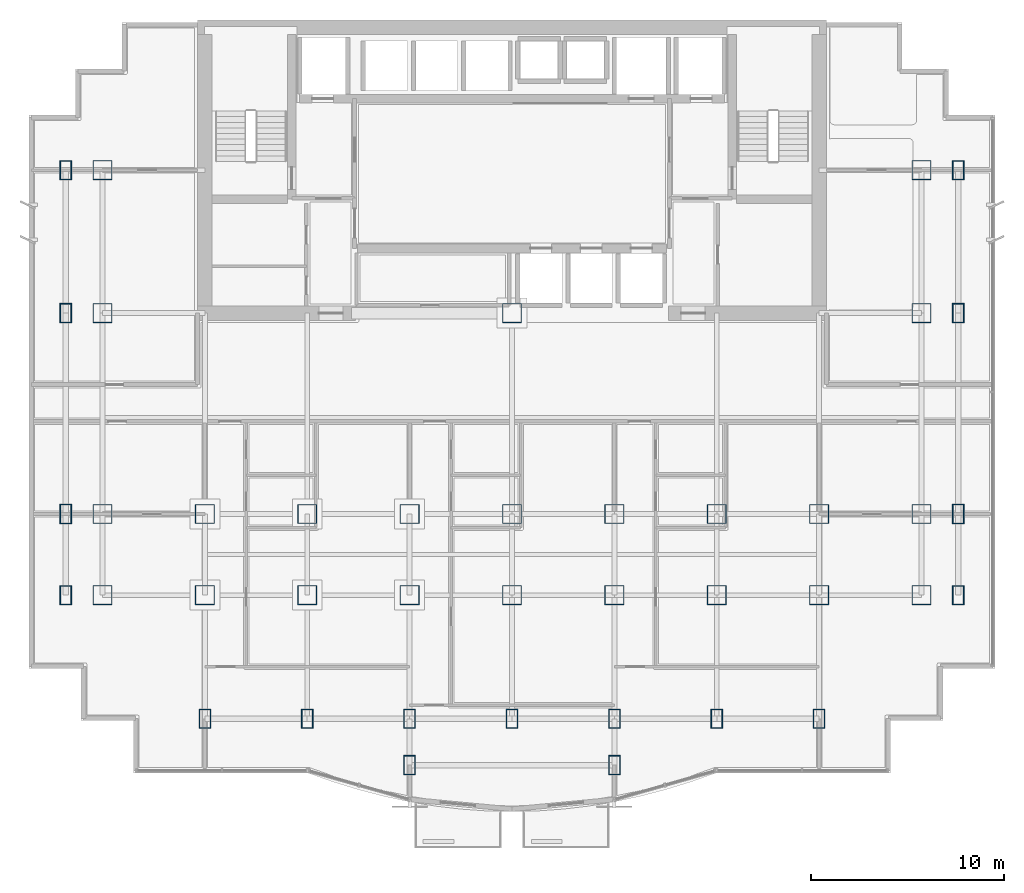
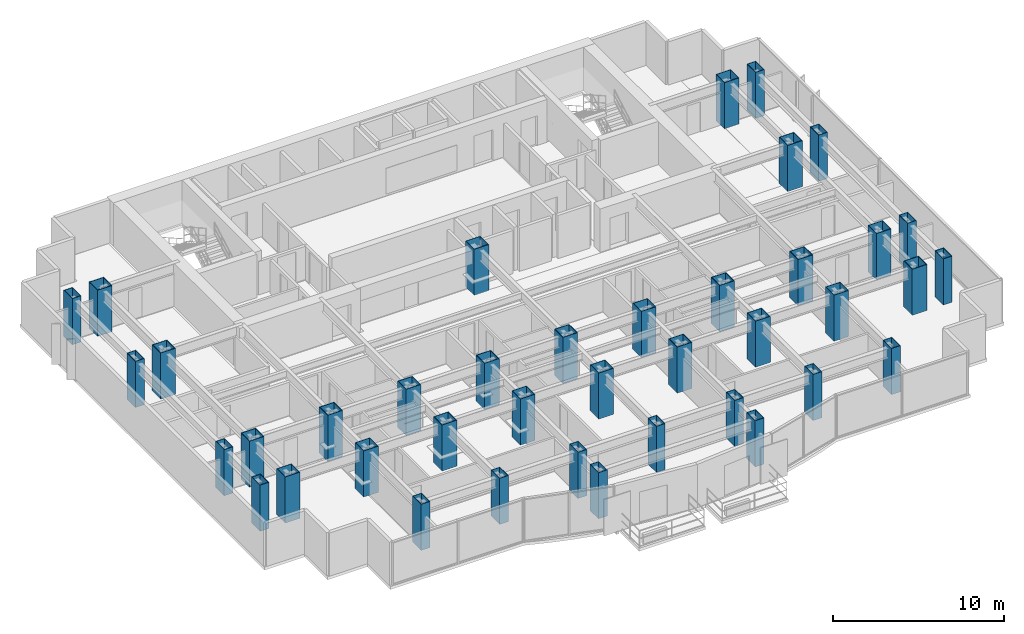
# One storey, part 1 of 11: 40 columns.
"""IFC4 building model written with IfcOpenShell, lengths in metres."""

from ifc_helpers import new_model, si_unit, direction, frame, origin, origin_2d, place, context, subcontext, project, spatial, hollow_rectangle, extrude, material, material_profile, profile_set, type_object, element, save


model = new_model("IFC4")

# Units and contexts
model_context = context("Model", 3, precision=1e-05, world=origin(), true_north=direction((0.0, 1.0)))
body_context = subcontext(model_context, "Body", "Model", "MODEL_VIEW")
ifc_project = project(units=[si_unit("LENGTHUNIT", "METRE"), si_unit("AREAUNIT", "SQUARE_METRE"), si_unit("VOLUMEUNIT", "CUBIC_METRE"), si_unit("PLANEANGLEUNIT", "RADIAN"), si_unit("MASSUNIT", "GRAM", prefix="KILO")], contexts=[model_context])

# Site, building, storey
site_placement = place(None, origin())
site = spatial("IfcSite", under=ifc_project, at=site_placement, CompositionType="ELEMENT")
building_placement = place(site_placement, origin())
building = spatial("IfcBuilding", under=site, at=building_placement, Name="Qianlan Lanfeng Residences", CompositionType="ELEMENT")
storey_placement = place(building_placement, frame((0.0, 0.0, 104.800048828125)))
storey = spatial("IfcBuildingStorey", under=building, at=storey_placement, Name="L28", CompositionType="ELEMENT", Elevation=104.800048828125)

# Columns
ifc_material = material(Name="Steel SN490B", Category="steel")
ifc_material_profile_1 = material_profile(ifc_material, hollow_rectangle(XDim=1.0, YDim=1.0, WallThickness=0.035888671875, at=origin_2d()), Name="BOX 1000x1000x36")
ifc_profile_set_1 = profile_set([ifc_material_profile_1], Name="Steel SN490B")
column_type_1 = type_object("IfcColumnType", Name="C-B1200", PredefinedType="COLUMN", material=ifc_profile_set_1)
for number, where, z_axis, x_axis, name in (
    (1, (26.5, 25.199951171875, 0.0), (0.0, 0.0, 1.0), (1.0, 0.0, 0.0), "L28 Structural Column CP_26.5_25.2"),
    (2, (10.60009765625, 14.800048828125, 0.0), (0.0, 0.0, 1.0), (1.0, 0.0, 0.0), "L28 Structural Column M_10.60_14.80"),
    (3, (10.60009765625, 10.60009765625, 0.0), (0.0, 0.0, 1.0), (1.0, 0.0, 0.0), "L28 Structural Column G_10.60_10.60"),
    (4, (15.89990234375, 14.800048828125, 0.0), (0.0, 0.0, 1.0), (1.0, 0.0, 0.0), "L28 Structural Column M_15.90_14.80"),
    (5, (15.89990234375, 10.60009765625, 0.0), (0.0, 0.0, 1.0), (1.0, 0.0, 0.0), "L28 Structural Column G_15.90_10.60"),
    (6, (21.199951171875, 14.800048828125, 0.0), (0.0, 0.0, 1.0), (1.0, 0.0, 0.0), "L28 Structural Column M_21.20_14.80"),
    (7, (21.199951171875, 10.60009765625, 0.0), (0.0, 0.0, 1.0), (1.0, 0.0, 0.0), "L28 Structural Column G_21.20_10.60"),
    (8, (26.5, 14.800048828125, 0.0), (0.0, 0.0, 1.0), (1.0, 0.0, 0.0), "L28 Structural Column M_26.50_14.80"),
    (9, (26.5, 10.60009765625, 0.0), (0.0, 0.0, 1.0), (1.0, 0.0, 0.0), "L28 Structural Column G_26.50_10.60"),
    (10, (31.800048828125, 14.800048828125, 0.0), (0.0, 0.0, 1.0), (1.0, 0.0, 0.0), "L28 Structural Column M_31.80_14.80"),
    (11, (31.800048828125, 10.60009765625, 0.0), (0.0, 0.0, 1.0), (1.0, 0.0, 0.0), "L28 Structural Column G_31.80_10.60"),
    (12, (37.10009765625, 14.800048828125, 0.0), (0.0, 0.0, 1.0), (1.0, 0.0, 0.0), "L28 Structural Column M_37.10_14.80"),
    (13, (37.10009765625, 10.60009765625, 0.0), (0.0, 0.0, 1.0), (1.0, 0.0, 0.0), "L28 Structural Column G_37.10_10.60"),
    (14, (42.39990234375, 14.800048828125, 0.0), (0.0, 0.0, 1.0), (1.0, 0.0, 0.0), "L28 Structural Column M_42.40_14.80"),
    (15, (42.39990234375, 10.60009765625, 0.0), (0.0, 0.0, 1.0), (1.0, 0.0, 0.0), "L28 Structural Column G_42.40_10.60"),
    (16, (5.300048828125, 10.60009765625, 0.0), (0.0, 0.0, 1.0), (1.0, 0.0, 0.0), "L28 Structural Column W_5.30_10.60"),
    (17, (5.300048828125, 14.800048828125, 0.0), (0.0, 0.0, 1.0), (1.0, 0.0, 0.0), "L28 Structural Column W_5.30_14.80"),
    (18, (5.300048828125, 25.199951171875, 0.0), (0.0, 0.0, 1.0), (1.0, 0.0, 0.0), "L28 Structural Column W_5.30_25.20"),
    (19, (5.300048828125, 32.60009765625, 0.0), (0.0, 0.0, 1.0), (1.0, 0.0, 0.0), "L28 Structural Column W_5.30_32.60"),
    (20, (47.699951171875, 10.60009765625, 0.0), (0.0, 0.0, 1.0), (1.0, 0.0, 0.0), "L28 Structural Column W_47.70_10.60"),
    (21, (47.699951171875, 14.800048828125, 0.0), (0.0, 0.0, 1.0), (1.0, 0.0, 0.0), "L28 Structural Column W_47.70_14.80"),
    (22, (47.699951171875, 25.199951171875, 0.0), (0.0, 0.0, 1.0), (1.0, 0.0, 0.0), "L28 Structural Column W_47.70_25.20"),
    (23, (47.699951171875, 32.60009765625, 0.0), (0.0, 0.0, 1.0), (1.0, 0.0, 0.0), "L28 Structural Column W_47.70_32.60"),
):
    element("IfcColumn", number, at=place(storey_placement, frame(where, z_axis=z_axis, x_axis=x_axis)), inside=storey, type_object=column_type_1, Name=name, PredefinedType="COLUMN", context=body_context, shape_type="SweptSolid", body=[
        extrude(hollow_rectangle(XDim=1.0, YDim=1.0, WallThickness=0.035888671875, at=origin_2d()), origin(), (0.0, 0.0, 1.0), 3.300048828125),
    ])
ifc_material_profile_2 = material_profile(ifc_material, hollow_rectangle(XDim=0.60009765625, YDim=1.0, WallThickness=0.031982421875, at=origin_2d()), Name="BOX 1000x600x32")
ifc_profile_set_2 = profile_set([ifc_material_profile_2], Name="Steel SN490B")
column_type_2 = type_object("IfcColumnType", Name="CE-B1100", PredefinedType="COLUMN", material=ifc_profile_set_2)
for number, where, z_axis, x_axis, name in (
    (24, (21.199951171875, 1.800048828125, 0.0), (0.0, 0.0, 1.0), (1.0, 0.0, 0.0), "L28 Structural Column P_21.20_1.80"),
    (25, (31.800048828125, 1.800048828125, 0.0), (0.0, 0.0, 1.0), (1.0, 0.0, 0.0), "L28 Structural Column P_31.80_1.80"),
    (26, (10.60009765625, 4.199951171875, 0.0), (0.0, 0.0, 1.0), (1.0, 0.0, 0.0), "L28 Structural Column S_10.60_4.20"),
    (27, (15.89990234375, 4.199951171875, 0.0), (0.0, 0.0, 1.0), (1.0, 0.0, 0.0), "L28 Structural Column S_15.90_4.20"),
    (28, (21.199951171875, 4.199951171875, 0.0), (0.0, 0.0, 1.0), (1.0, 0.0, 0.0), "L28 Structural Column S_21.20_4.20"),
    (29, (26.5, 4.199951171875, 0.0), (0.0, 0.0, 1.0), (1.0, 0.0, 0.0), "L28 Structural Column S_26.50_4.20"),
    (30, (31.800048828125, 4.199951171875, 0.0), (0.0, 0.0, 1.0), (1.0, 0.0, 0.0), "L28 Structural Column S_31.80_4.20"),
    (31, (37.10009765625, 4.199951171875, 0.0), (0.0, 0.0, 1.0), (1.0, 0.0, 0.0), "L28 Structural Column S_37.10_4.20"),
    (32, (42.39990234375, 4.199951171875, 0.0), (0.0, 0.0, 1.0), (1.0, 0.0, 0.0), "L28 Structural Column S_42.40_4.20"),
    (33, (3.39990234375, 10.60009765625, 0.0), (0.0, 0.0, 1.0), (1.0, 0.0, 0.0), "L28 Structural Column W_3.40_10.60"),
    (34, (3.39990234375, 14.800048828125, 0.0), (0.0, 0.0, 1.0), (1.0, 0.0, 0.0), "L28 Structural Column W_3.40_14.80"),
    (35, (3.39990234375, 25.199951171875, 0.0), (0.0, 0.0, 1.0), (1.0, 0.0, 0.0), "L28 Structural Column W_3.40_25.20"),
    (36, (3.39990234375, 32.60009765625, 0.0), (0.0, 0.0, 1.0), (1.0, 0.0, 0.0), "L28 Structural Column W_3.40_32.60"),
    (37, (49.60009765625, 10.60009765625, 0.0), (0.0, 0.0, 1.0), (1.0, 0.0, 0.0), "L28 Structural Column W_49.60_10.60"),
    (38, (49.60009765625, 14.800048828125, 0.0), (0.0, 0.0, 1.0), (1.0, 0.0, 0.0), "L28 Structural Column W_49.60_14.80"),
    (39, (49.60009765625, 25.199951171875, 0.0), (0.0, 0.0, 1.0), (1.0, 0.0, 0.0), "L28 Structural Column W_49.60_25.20"),
    (40, (49.60009765625, 32.60009765625, 0.0), (0.0, 0.0, 1.0), (1.0, 0.0, 0.0), "L28 Structural Column W_49.60_32.60"),
):
    element("IfcColumn", number, at=place(storey_placement, frame(where, z_axis=z_axis, x_axis=x_axis)), inside=storey, type_object=column_type_2, Name=name, PredefinedType="COLUMN", context=body_context, shape_type="SweptSolid", body=[
        extrude(hollow_rectangle(XDim=0.60009765625, YDim=1.0, WallThickness=0.031982421875, at=origin_2d()), origin(), (0.0, 0.0, 1.0), 3.300048828125),
    ])

save(model, "model.ifc")
